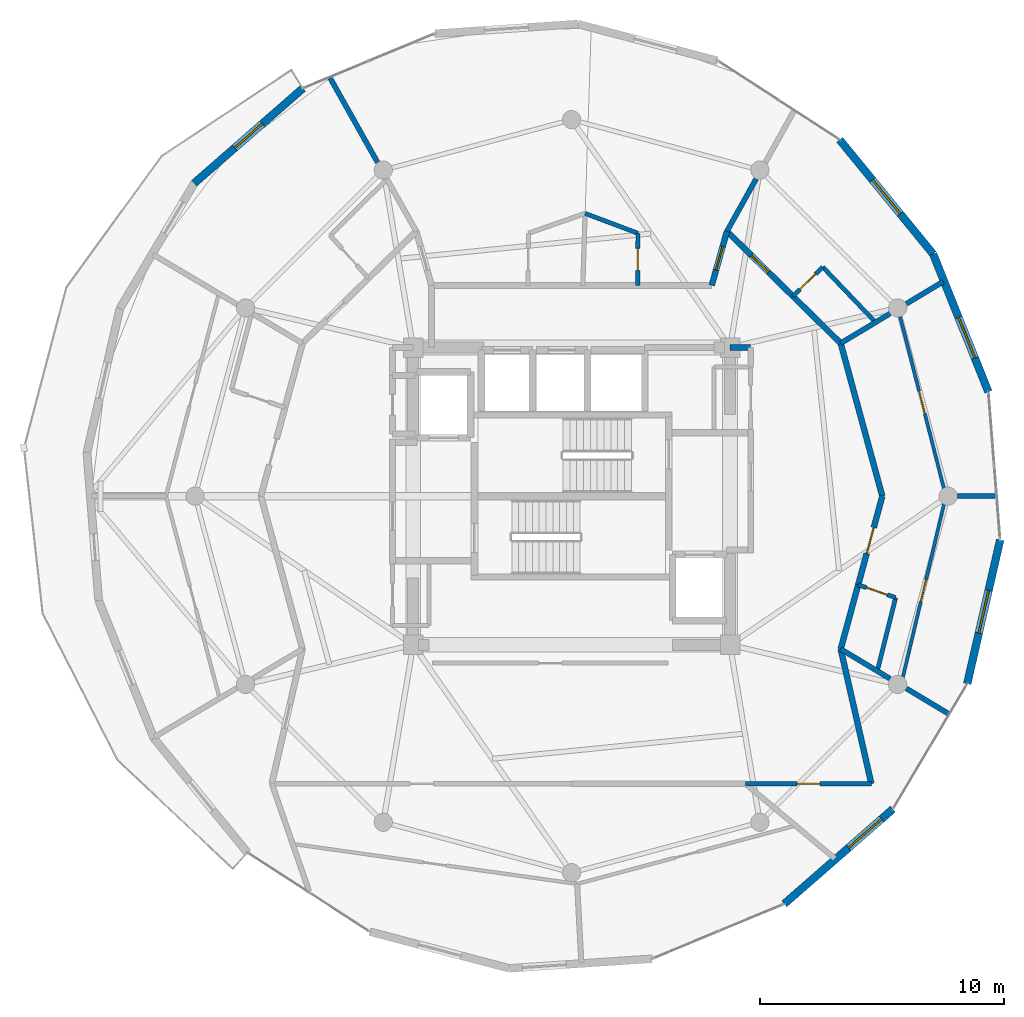
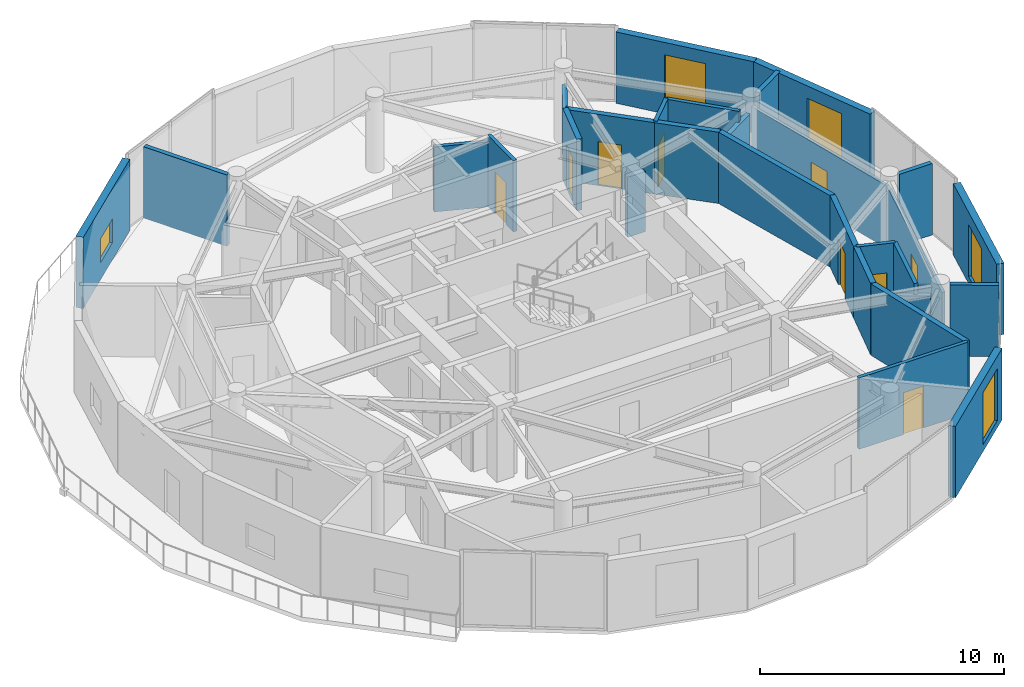
# One storey, part 14 of 17: 29 walls, 9 doors, 5 windows, 14 openings.
"""IFC4 building model written with IfcOpenShell, lengths in metres."""

from ifc_helpers import new_model, si_unit, direction, frame, frame_2d, origin, place, context, subcontext, project, spatial, rectangle, extrude, material, layer, layer_set, type_object, element, fill, save


model = new_model("IFC4")

# Units and contexts
model_context = context("Model", 3, precision=1e-05, world=origin(), true_north=direction((0.0, 1.0)))
body_context = subcontext(model_context, "Body", "Model", "MODEL_VIEW")
ifc_project = project(units=[si_unit("LENGTHUNIT", "METRE"), si_unit("AREAUNIT", "SQUARE_METRE"), si_unit("VOLUMEUNIT", "CUBIC_METRE"), si_unit("PLANEANGLEUNIT", "RADIAN"), si_unit("MASSUNIT", "GRAM", prefix="KILO")], contexts=[model_context])

# Site, building, storey
site_placement = place(None, origin())
site = spatial("IfcSite", under=ifc_project, at=site_placement, CompositionType="ELEMENT")
building_placement = place(site_placement, origin())
building = spatial("IfcBuilding", under=site, at=building_placement, Name="Solvirekh Grand Hotel", CompositionType="ELEMENT")
storey_placement = place(building_placement, frame((0.0, 0.0, 246.800048828125)))
storey = spatial("IfcBuildingStorey", under=building, at=storey_placement, Name="L64", CompositionType="ELEMENT", Elevation=246.800048828125)

# Wall, opening, window
ifc_material_1 = material(Name="Precast concrete C45/55", Category="concrete")
ifc_layer_1 = layer(ifc_material_1, 0.320068359375)
ifc_layer_set_1 = layer_set([ifc_layer_1], Name="Precast concrete C45/55")
wall_type_1 = type_object("IfcWallType", Name="ExtLobbyWall_RC320", PredefinedType="SOLIDWALL", material=ifc_layer_set_1)
wall_1_placement = place(storey_placement, frame((13.181884765625, -12.842041015625, 0.0), z_axis=(0.0, 0.0, 1.0), x_axis=(-0.753243589512, -0.657741662706, 0.0)))
wall_1 = element("IfcWall", 1, at=wall_1_placement, inside=storey, type_object=wall_type_1, Name="L64 exterior structural wall chord 2", PredefinedType="SOLIDWALL", context=body_context, shape_type="SweptSolid", body=[
    extrude(rectangle(XDim=5.91552734375, YDim=0.320068359375, at=frame_2d((2.957763671875, 0.0))), origin(), (0.0, 0.0, 1.0), 3.570068359375),
])
opening_1_placement = place(wall_1_placement, frame((0.612060546875, 0.0, 0.35009765625)))
opening_1 = element("IfcOpeningElement", 2, at=opening_1_placement, cuts=wall_1, Name="Opening W02", PredefinedType="OPENING", context=body_context, shape_type="SweptSolid", body=[
    extrude(rectangle(XDim=1.800048828125, YDim=2.60009765625, at=frame_2d((0.89990234375, 1.300048828125))), frame((0.0, 0.169921875, 0.0), z_axis=(0.0, -1.0, 0.0), x_axis=(1.0, 0.0, 0.0)), (0.0, 0.0, 1.0), 0.340087890625),
])
ifc_material_2 = material(Name="Low-E Tinted Bronze Laminated Glass", Category="aluminium")
window_type_1 = type_object("IfcWindowType", Name="Win_LobbyExt_1800X2600", PartitioningType="SINGLE_PANEL", PredefinedType="WINDOW", material=ifc_material_2)
window_1_placement = place(opening_1_placement, origin())
window_1 = element("IfcWindow", 3, at=window_1_placement, inside=storey, type_object=window_type_1, Name="L64 panoramic bronze-framed window 2", OverallHeight=2.60009765625, OverallWidth=1.800048828125, PartitioningType="SINGLE_PANEL", PredefinedType="WINDOW", context=body_context, shape_type="SweptSolid", body=[
    extrude(rectangle(XDim=1.800048828125, YDim=2.60009765625, at=frame_2d((0.89990234375, 1.300048828125))), frame((0.0, 0.030029296875, 0.0), z_axis=(0.0, -1.0, 0.0), x_axis=(1.0, 0.0, 0.0)), (0.0, 0.0, 1.0), 0.06005859375),
])
fill(opening_1, window_1)

wall_2_placement = place(storey_placement, frame((17.5869140625, -1.794921875, 0.0), z_axis=(0.0, 0.0, 1.0), x_axis=(-0.223174159959, -0.974778587335, 0.0)))
wall_2 = element("IfcWall", 4, at=wall_2_placement, inside=storey, type_object=wall_type_1, Name="L64 exterior structural wall chord 4", PredefinedType="SOLIDWALL", context=body_context, shape_type="SweptSolid", body=[
    extrude(rectangle(XDim=6.052734375, YDim=0.320068359375, at=frame_2d((3.0263671875, 0.0))), origin(), (0.0, 0.0, 1.0), 3.570068359375),
])
opening_2_placement = place(wall_2_placement, frame((2.1259765625, 0.0, 0.35009765625)))
opening_2 = element("IfcOpeningElement", 5, at=opening_2_placement, cuts=wall_2, Name="Opening W02", PredefinedType="OPENING", context=body_context, shape_type="SweptSolid", body=[
    extrude(rectangle(XDim=1.800048828125, YDim=2.60009765625, at=frame_2d((0.89990234375, 1.300048828125))), frame((0.0, 0.169921875, 0.0), z_axis=(0.0, -1.0, 0.0), x_axis=(1.0, 0.0, 0.0)), (0.0, 0.0, 1.0), 0.340087890625),
])
window_2_placement = place(opening_2_placement, origin())
window_2 = element("IfcWindow", 6, at=window_2_placement, inside=storey, type_object=window_type_1, Name="L64 panoramic bronze-framed window 4", OverallHeight=2.60009765625, OverallWidth=1.800048828125, PartitioningType="SINGLE_PANEL", PredefinedType="WINDOW", context=body_context, shape_type="SweptSolid", body=[
    extrude(rectangle(XDim=1.800048828125, YDim=2.60009765625, at=frame_2d((0.89990234375, 1.300048828125))), frame((0.0, 0.030029296875, 0.0), z_axis=(0.0, -1.0, 0.0), x_axis=(1.0, 0.0, 0.0)), (0.0, 0.0, 1.0), 0.06005859375),
])
fill(opening_2, window_2)

wall_3_placement = place(storey_placement, frame((14.8349609375, 9.93896484375, 0.0), z_axis=(0.0, 0.0, 1.0), x_axis=(0.372412492589, -0.928067311871, 0.0)))
wall_3 = element("IfcWall", 7, at=wall_3_placement, inside=storey, type_object=wall_type_1, Name="L64 exterior structural wall chord 6", PredefinedType="SOLIDWALL", context=body_context, shape_type="SweptSolid", body=[
    extrude(rectangle(XDim=6.095458984375, YDim=0.320068359375, at=frame_2d((3.0478515625, 0.0))), origin(), (0.0, 0.0, 1.0), 3.570068359375),
])
opening_3_placement = place(wall_3_placement, frame((2.802001953125, 0.0, 0.35009765625)))
opening_3 = element("IfcOpeningElement", 8, at=opening_3_placement, cuts=wall_3, Name="Opening W02", PredefinedType="OPENING", context=body_context, shape_type="SweptSolid", body=[
    extrude(rectangle(XDim=1.800048828125, YDim=2.60009765625, at=frame_2d((0.89990234375, 1.300048828125))), frame((0.0, 0.169921875, 0.0), z_axis=(0.0, -1.0, 0.0), x_axis=(1.0, 0.0, 0.0)), (0.0, 0.0, 1.0), 0.340087890625),
])
window_3_placement = place(opening_3_placement, origin())
window_3 = element("IfcWindow", 9, at=window_3_placement, inside=storey, type_object=window_type_1, Name="L64 panoramic bronze-framed window 6", OverallHeight=2.60009765625, OverallWidth=1.800048828125, PartitioningType="SINGLE_PANEL", PredefinedType="WINDOW", context=body_context, shape_type="SweptSolid", body=[
    extrude(rectangle(XDim=1.800048828125, YDim=2.60009765625, at=frame_2d((0.89990234375, 1.300048828125))), frame((0.0, 0.030029296875, 0.0), z_axis=(0.0, -1.0, 0.0), x_axis=(1.0, 0.0, 0.0)), (0.0, 0.0, 1.0), 0.06005859375),
])
fill(opening_3, window_3)

wall_4_placement = place(storey_placement, frame((11.0009765625, 14.623046875, 0.0), z_axis=(0.0, 0.0, 1.0), x_axis=(0.633391522875, -0.773831492478, 0.0)))
wall_4 = element("IfcWall", 10, at=wall_4_placement, inside=storey, type_object=wall_type_1, Name="L64 exterior structural wall chord 7", PredefinedType="SOLIDWALL", context=body_context, shape_type="SweptSolid", body=[
    extrude(rectangle(XDim=6.05322265625, YDim=0.320068359375, at=frame_2d((3.026611328125, 0.0))), origin(), (0.0, 0.0, 1.0), 3.570068359375),
])
opening_4_placement = place(wall_4_placement, frame((2.126953125, 0.0, 0.35009765625)))
opening_4 = element("IfcOpeningElement", 11, at=opening_4_placement, cuts=wall_4, Name="Opening W02", PredefinedType="OPENING", context=body_context, shape_type="SweptSolid", body=[
    extrude(rectangle(XDim=1.800048828125, YDim=2.60009765625, at=frame_2d((0.89990234375, 1.300048828125))), frame((0.0, 0.169921875, 0.0), z_axis=(0.0, -1.0, 0.0), x_axis=(1.0, 0.0, 0.0)), (0.0, 0.0, 1.0), 0.340087890625),
])
window_4_placement = place(opening_4_placement, origin())
window_4 = element("IfcWindow", 12, at=window_4_placement, inside=storey, type_object=window_type_1, Name="L64 panoramic bronze-framed window 7", OverallHeight=2.60009765625, OverallWidth=1.800048828125, PartitioningType="SINGLE_PANEL", PredefinedType="WINDOW", context=body_context, shape_type="SweptSolid", body=[
    extrude(rectangle(XDim=1.800048828125, YDim=2.60009765625, at=frame_2d((0.89990234375, 1.300048828125))), frame((0.0, 0.030029296875, 0.0), z_axis=(0.0, -1.0, 0.0), x_axis=(1.0, 0.0, 0.0)), (0.0, 0.0, 1.0), 0.06005859375),
])
fill(opening_4, window_4)

wall_5_placement = place(storey_placement, frame((-15.48193359375, 12.842041015625, 0.0), z_axis=(0.0, 0.0, 1.0), x_axis=(0.753261443664, 0.65772121563, 0.0)))
wall_5 = element("IfcWall", 13, at=wall_5_placement, inside=storey, type_object=wall_type_1, Name="L64 cantilevered deck support wall chord 12", PredefinedType="SOLIDWALL", context=body_context, shape_type="SweptSolid", body=[
    extrude(rectangle(XDim=5.915771484375, YDim=0.320068359375, at=frame_2d((2.9580078125, 0.0))), origin(), (0.0, 0.0, 1.0), 3.570068359375),
])
opening_5_placement = place(wall_5_placement, frame((2.2080078125, 0.0, 0.85009765625)))
opening_5 = element("IfcOpeningElement", 14, at=opening_5_placement, cuts=wall_5, Name="Opening W05", PredefinedType="OPENING", context=body_context, shape_type="SweptSolid", body=[
    extrude(rectangle(XDim=1.5, YDim=1.199951171875, at=frame_2d((0.75, 0.60009765625))), frame((0.0, 0.169921875, 0.0), z_axis=(0.0, -1.0, 0.0), x_axis=(1.0, 0.0, 0.0)), (0.0, 0.0, 1.0), 0.340087890625),
])
window_type_2 = type_object("IfcWindowType", Name="Win_PlantVent_1500X1200", PartitioningType="SINGLE_PANEL", PredefinedType="WINDOW", material=ifc_material_2)
window_5_placement = place(opening_5_placement, origin())
window_5 = element("IfcWindow", 15, at=window_5_placement, inside=storey, type_object=window_type_2, Name="L64 bronze-framed vision ribbon window 12", OverallHeight=1.199951171875, OverallWidth=1.5, PartitioningType="SINGLE_PANEL", PredefinedType="WINDOW", context=body_context, shape_type="SweptSolid", body=[
    extrude(rectangle(XDim=1.5, YDim=1.199951171875, at=frame_2d((0.75, 0.60009765625))), frame((0.0, 0.030029296875, 0.0), z_axis=(0.0, -1.0, 0.0), x_axis=(1.0, 0.0, 0.0)), (0.0, 0.0, 1.0), 0.06005859375),
])
fill(opening_5, window_5)

# Wall, opening, door
ifc_material_3 = material(Name="Acoustic Gypsum Partition Assembly")
ifc_layer_2 = layer(ifc_material_3, 0.1650390625)
ifc_layer_set_2 = layer_set([ifc_layer_2], Name="Acoustic Gypsum Partition Assembly")
wall_type_2 = type_object("IfcWallType", Name="Part_BOH_165", PredefinedType="PARTITIONING", material=ifc_layer_set_2)
wall_6_placement = place(storey_placement, frame((7.134033203125, -11.800048828125, 0.0), z_axis=(0.0, 0.0, 1.0), x_axis=(1.0, 0.0, 0.0)))
wall_6 = element("IfcWall", 16, at=wall_6_placement, inside=storey, type_object=wall_type_2, Name="L64 L64 Butler Valet & Linen Steward Room entrance wall", PredefinedType="PARTITIONING", context=body_context, shape_type="SweptSolid", body=[
    extrude(rectangle(XDim=5.166015625, YDim=0.1650390625, at=frame_2d((2.5830078125, 0.0))), origin(), (0.0, 0.0, 1.0), 3.570068359375),
])
opening_6_placement = place(wall_6_placement, frame((2.10791015625, 0.0, 0.0)))
opening_6 = element("IfcOpeningElement", 17, at=opening_6_placement, cuts=wall_6, Name="Opening D10", PredefinedType="OPENING", context=body_context, shape_type="SweptSolid", body=[
    extrude(rectangle(XDim=0.949951171875, YDim=2.10009765625, at=frame_2d((0.47509765625, 1.050048828125))), frame((0.0, 0.092529296875, 0.0), z_axis=(0.0, -1.0, 0.0), x_axis=(1.0, 0.0, 0.0)), (0.0, 0.0, 1.0), 0.18505859375),
])
ifc_material_4 = material(Name="Anodized Bronze Aluminium 6063-T6", Category="aluminium")
door_type_1 = type_object("IfcDoorType", Name="Door_RoomInt_950X2100", OperationType="NOTDEFINED", PredefinedType="DOOR", material=ifc_material_4)
door_1_placement = place(opening_6_placement, origin())
door_1 = element("IfcDoor", 18, at=door_1_placement, inside=storey, type_object=door_type_1, Name="L64 L64 Butler Valet & Linen Steward Room entrance door", OperationType="SINGLE_SWING_RIGHT", OverallHeight=2.10009765625, OverallWidth=0.949951171875, PredefinedType="DOOR", context=body_context, shape_type="SweptSolid", body=[
    extrude(rectangle(XDim=0.949951171875, YDim=2.10009765625, at=frame_2d((0.47509765625, 1.050048828125))), frame((0.0, 0.02490234375, 0.0), z_axis=(0.0, -1.0, 0.0), x_axis=(1.0, 0.0, 0.0)), (0.0, 0.0, 1.0), 0.050048828125),
])
fill(opening_6, door_1)

# Wall
ifc_layer_3 = layer(ifc_material_3, 0.239990234375)
ifc_layer_set_3 = layer_set([ifc_layer_3], Name="Acoustic Gypsum Partition Assembly")
wall_type_3 = type_object("IfcWallType", Name="Part_Corridor_240", PredefinedType="PARTITIONING", material=ifc_layer_set_3)
wall_7_placement = place(storey_placement, frame((6.5, 6.10009765625, 0.0), z_axis=(0.0, 0.0, 1.0), x_axis=(1.0, 0.0, 0.0)))
element("IfcWall", 19, at=wall_7_placement, inside=storey, type_object=wall_type_3, Name="L64 NE core corner tie wall", PredefinedType="PARTITIONING", context=body_context, shape_type="SweptSolid", body=[
    extrude(rectangle(XDim=0.85009765625, YDim=0.239990234375, at=frame_2d((0.425048828125, 0.0))), origin(), (0.0, 0.0, 1.0), 3.010986328125),
])

# Wall, opening, door
wall_8_placement = place(storey_placement, frame((5.75, 8.64990234375, 0.0), z_axis=(0.0, 0.0, 1.0), x_axis=(0.271110513922, 0.962548226969, 0.0)))
wall_8 = element("IfcWall", 20, at=wall_8_placement, inside=storey, type_object=wall_type_3, Name="L64 Deluxe Guestroom 6601 entrance wall", PredefinedType="PARTITIONING", context=body_context, shape_type="SweptSolid", body=[
    extrude(rectangle(XDim=2.305419921875, YDim=0.239990234375, at=frame_2d((1.15283203125, 0.0))), origin(), (0.0, 0.0, 1.0), 3.570068359375),
])
opening_7_placement = place(wall_8_placement, frame((0.653076171875, 0.0, 0.0)))
opening_7 = element("IfcOpeningElement", 21, at=opening_7_placement, cuts=wall_8, Name="Opening D07", PredefinedType="OPENING", context=body_context, shape_type="SweptSolid", body=[
    extrude(rectangle(XDim=1.0, YDim=2.199951171875, at=frame_2d((0.5, 1.10009765625))), frame((0.0, 0.1298828125, 0.0), z_axis=(0.0, -1.0, 0.0), x_axis=(1.0, 0.0, 0.0)), (0.0, 0.0, 1.0), 0.260009765625),
])
ifc_material_5 = material(Name="Fire-Rated Steel Door Assembly", Category="steel")
door_type_2 = type_object("IfcDoorType", Name="Door_GuestEntry_1000X2200", OperationType="NOTDEFINED", PredefinedType="DOOR", material=ifc_material_5)
door_2_placement = place(opening_7_placement, origin())
door_2 = element("IfcDoor", 22, at=door_2_placement, inside=storey, type_object=door_type_2, Name="L64 Deluxe Guestroom 6601 entrance door", OperationType="SINGLE_SWING_LEFT", OverallHeight=2.199951171875, OverallWidth=1.0, PredefinedType="DOOR", context=body_context, shape_type="SweptSolid", body=[
    extrude(rectangle(XDim=1.0, YDim=2.199951171875, at=frame_2d((0.5, 1.10009765625))), frame((0.0, 0.02490234375, 0.0), z_axis=(0.0, -1.0, 0.0), x_axis=(1.0, 0.0, 0.0)), (0.0, 0.0, 1.0), 0.050048828125),
])
fill(opening_7, door_2)

# Walls
wall_9_placement = place(storey_placement, frame((11.0419921875, -6.27490234375, 0.0), z_axis=(0.0, 0.0, 1.0), x_axis=(0.262572701387, 0.964912211803, 0.0)))
element("IfcWall", 23, at=wall_9_placement, inside=storey, type_object=wall_type_3, Name="L64 En-suite Bathroom 6605 corridor backing wall", PredefinedType="PARTITIONING", context=body_context, shape_type="SweptSolid", body=[
    extrude(rectangle(XDim=2.730712890625, YDim=0.239990234375, at=frame_2d((1.365234375, 0.0))), origin(), (0.0, 0.0, 1.0), 3.570068359375),
])
wall_10_placement = place(storey_placement, frame((12.75, 0.0, 0.0), z_axis=(0.0, 0.0, 1.0), x_axis=(-0.262640884433, 0.964893655189, 0.0)))
element("IfcWall", 24, at=wall_10_placement, inside=storey, type_object=wall_type_3, Name="L64 Executive Suite 6605 Living Room corridor wall 1", PredefinedType="PARTITIONING", context=body_context, shape_type="SweptSolid", body=[
    extrude(rectangle(XDim=6.503173828125, YDim=0.239990234375, at=frame_2d((3.25146484375, 0.0))), origin(), (0.0, 0.0, 1.0), 3.570068359375),
])

# Wall, opening, door
wall_11_placement = place(storey_placement, frame((11.759033203125, -3.639892578125, 0.0), z_axis=(0.0, 0.0, 1.0), x_axis=(0.2626902414, 0.964880219029, 0.0)))
wall_11 = element("IfcWall", 25, at=wall_11_placement, inside=storey, type_object=wall_type_3, Name="L64 Executive Suite 6605 Living Room entrance wall", PredefinedType="PARTITIONING", context=body_context, shape_type="SweptSolid", body=[
    extrude(rectangle(XDim=3.7724609375, YDim=0.239990234375, at=frame_2d((1.88623046875, 0.0))), origin(), (0.0, 0.0, 1.0), 3.570068359375),
])
opening_8_placement = place(wall_11_placement, frame((1.3359375, 0.0, 0.0)))
opening_8 = element("IfcOpeningElement", 26, at=opening_8_placement, cuts=wall_11, Name="Opening D08", PredefinedType="OPENING", context=body_context, shape_type="SweptSolid", body=[
    extrude(rectangle(XDim=1.10009765625, YDim=2.300048828125, at=frame_2d((0.550048828125, 1.14990234375))), frame((0.0, 0.1298828125, 0.0), z_axis=(0.0, -1.0, 0.0), x_axis=(1.0, 0.0, 0.0)), (0.0, 0.0, 1.0), 0.260009765625),
])
door_type_3 = type_object("IfcDoorType", Name="Door_SuiteEntry_1100X2300", OperationType="NOTDEFINED", PredefinedType="DOOR", material=ifc_material_5)
door_3_placement = place(opening_8_placement, origin())
door_3 = element("IfcDoor", 27, at=door_3_placement, inside=storey, type_object=door_type_3, Name="L64 Executive Suite 6605 Living Room entrance door", OperationType="SINGLE_SWING_LEFT", OverallHeight=2.300048828125, OverallWidth=1.10009765625, PredefinedType="DOOR", context=body_context, shape_type="SweptSolid", body=[
    extrude(rectangle(XDim=1.10009765625, YDim=2.300048828125, at=frame_2d((0.550048828125, 1.14990234375))), frame((0.0, 0.02490234375, 0.0), z_axis=(0.0, -1.0, 0.0), x_axis=(1.0, 0.0, 0.0)), (0.0, 0.0, 1.0), 0.050048828125),
])
fill(opening_8, door_3)

# Wall
wall_12_placement = place(storey_placement, frame((11.0419921875, 6.27490234375, 0.0), z_axis=(0.0, 0.0, 1.0), x_axis=(-0.712677423321, 0.701491903224, 0.0)))
element("IfcWall", 28, at=wall_12_placement, inside=storey, type_object=wall_type_3, Name="L64 En-suite Bathroom 6606 corridor backing wall", PredefinedType="PARTITIONING", context=body_context, shape_type="SweptSolid", body=[
    extrude(rectangle(XDim=2.750244140625, YDim=0.239990234375, at=frame_2d((1.375, 0.0))), origin(), (0.0, 0.0, 1.0), 3.570068359375),
])

# Wall, opening, door
wall_13_placement = place(storey_placement, frame((9.08203125, 8.2041015625, 0.0), z_axis=(0.0, 0.0, 1.0), x_axis=(-0.712644426178, 0.70152542494, 0.0)))
wall_13 = element("IfcWall", 29, at=wall_13_placement, inside=storey, type_object=wall_type_3, Name="L64 Deluxe Guestroom 6606 entrance wall", PredefinedType="PARTITIONING", context=body_context, shape_type="SweptSolid", body=[
    extrude(rectangle(XDim=3.798583984375, YDim=0.239990234375, at=frame_2d((1.8994140625, 0.0))), origin(), (0.0, 0.0, 1.0), 3.570068359375),
])
opening_9_placement = place(wall_13_placement, frame((1.39892578125, 0.0, 0.0)))
opening_9 = element("IfcOpeningElement", 30, at=opening_9_placement, cuts=wall_13, Name="Opening D07", PredefinedType="OPENING", context=body_context, shape_type="SweptSolid", body=[
    extrude(rectangle(XDim=1.0, YDim=2.199951171875, at=frame_2d((0.5, 1.10009765625))), frame((0.0, 0.1298828125, 0.0), z_axis=(0.0, -1.0, 0.0), x_axis=(1.0, 0.0, 0.0)), (0.0, 0.0, 1.0), 0.260009765625),
])
door_4_placement = place(opening_9_placement, origin())
door_4 = element("IfcDoor", 31, at=door_4_placement, inside=storey, type_object=door_type_2, Name="L64 Deluxe Guestroom 6606 entrance door", OperationType="SINGLE_SWING_LEFT", OverallHeight=2.199951171875, OverallWidth=1.0, PredefinedType="DOOR", context=body_context, shape_type="SweptSolid", body=[
    extrude(rectangle(XDim=1.0, YDim=2.199951171875, at=frame_2d((0.5, 1.10009765625))), frame((0.0, 0.02490234375, 0.0), z_axis=(0.0, -1.0, 0.0), x_axis=(1.0, 0.0, 0.0)), (0.0, 0.0, 1.0), 0.050048828125),
])
fill(opening_9, door_4)

# Wall
wall_14_placement = place(storey_placement, frame((12.300048828125, -11.800048828125, 0.0), z_axis=(0.0, 0.0, 1.0), x_axis=(-0.222014008723, 0.975043475918, 0.0)))
element("IfcWall", 32, at=wall_14_placement, inside=storey, type_object=wall_type_3, Name="L64 L64 Butler Valet & Linen Steward Room corridor wall 1", PredefinedType="PARTITIONING", context=body_context, shape_type="SweptSolid", body=[
    extrude(rectangle(XDim=5.66650390625, YDim=0.239990234375, at=frame_2d((2.833251953125, 0.0))), origin(), (0.0, 0.0, 1.0), 3.570068359375),
])

# Wall, opening, door
ifc_layer_4 = layer(ifc_material_3, 0.135009765625)
ifc_layer_set_4 = layer_set([ifc_layer_4], Name="Acoustic Gypsum Partition Assembly")
wall_type_4 = type_object("IfcWallType", Name="Part_RoomInt_135", PredefinedType="PARTITIONING", material=ifc_layer_set_4)
wall_15_placement = place(storey_placement, frame((13.51611328125, -7.759033203125, 0.0), z_axis=(0.0, 0.0, 1.0), x_axis=(0.230840940032, 0.972991500685, 0.0)))
wall_15 = element("IfcWall", 33, at=wall_15_placement, inside=storey, type_object=wall_type_4, Name="L64 Executive Suite 6605 Living Room bedroom screen wall", PredefinedType="PARTITIONING", context=body_context, shape_type="SweptSolid", body=[
    extrude(rectangle(XDim=7.974365234375, YDim=0.135009765625, at=frame_2d((3.9873046875, 0.0))), origin(), (0.0, 0.0, 1.0), 3.138916015625),
])
opening_10_placement = place(wall_15_placement, frame((3.511962890625, 0.0, 0.0)))
opening_10 = element("IfcOpeningElement", 34, at=opening_10_placement, cuts=wall_15, Name="Opening D10", PredefinedType="OPENING", context=body_context, shape_type="SweptSolid", body=[
    extrude(rectangle(XDim=0.949951171875, YDim=2.10009765625, at=frame_2d((0.47509765625, 1.050048828125))), frame((0.0, 0.07763671875, 0.0), z_axis=(0.0, -1.0, 0.0), x_axis=(1.0, 0.0, 0.0)), (0.0, 0.0, 1.0), 0.155029296875),
])
door_5_placement = place(opening_10_placement, origin())
door_5 = element("IfcDoor", 35, at=door_5_placement, inside=storey, type_object=door_type_1, Name="L64 Executive Suite 6605 Living Room master bedroom door", OperationType="SINGLE_SWING_RIGHT", OverallHeight=2.10009765625, OverallWidth=0.949951171875, PredefinedType="DOOR", context=body_context, shape_type="SweptSolid", body=[
    extrude(rectangle(XDim=0.949951171875, YDim=2.10009765625, at=frame_2d((0.47509765625, 1.050048828125))), frame((0.0, 0.02490234375, 0.0), z_axis=(0.0, -1.0, 0.0), x_axis=(1.0, 0.0, 0.0)), (0.0, 0.0, 1.0), 0.050048828125),
])
fill(opening_10, door_5)

wall_16_placement = place(storey_placement, frame((15.35693359375, 0.0, 0.0), z_axis=(0.0, 0.0, 1.0), x_axis=(-0.246948201866, 0.969028681513, 0.0)))
wall_16 = element("IfcWall", 36, at=wall_16_placement, inside=storey, type_object=wall_type_4, Name="L64 Executive Suite 6605 Panorama Suite Study bedroom screen wall", PredefinedType="PARTITIONING", context=body_context, shape_type="SweptSolid", body=[
    extrude(rectangle(XDim=7.936767578125, YDim=0.135009765625, at=frame_2d((3.96826171875, 0.0))), origin(), (0.0, 0.0, 1.0), 3.138916015625),
])
opening_11_placement = place(wall_16_placement, frame((3.492919921875, 0.0, 0.0)))
opening_11 = element("IfcOpeningElement", 37, at=opening_11_placement, cuts=wall_16, Name="Opening D10", PredefinedType="OPENING", context=body_context, shape_type="SweptSolid", body=[
    extrude(rectangle(XDim=0.949951171875, YDim=2.10009765625, at=frame_2d((0.47509765625, 1.050048828125))), frame((0.0, 0.07763671875, 0.0), z_axis=(0.0, -1.0, 0.0), x_axis=(1.0, 0.0, 0.0)), (0.0, 0.0, 1.0), 0.155029296875),
])
door_6_placement = place(opening_11_placement, origin())
door_6 = element("IfcDoor", 38, at=door_6_placement, inside=storey, type_object=door_type_1, Name="L64 Executive Suite 6605 Panorama Suite Study master bedroom door", OperationType="SINGLE_SWING_LEFT", OverallHeight=2.10009765625, OverallWidth=0.949951171875, PredefinedType="DOOR", context=body_context, shape_type="SweptSolid", body=[
    extrude(rectangle(XDim=0.949951171875, YDim=2.10009765625, at=frame_2d((0.47509765625, 1.050048828125))), frame((0.0, 0.02490234375, 0.0), z_axis=(0.0, -1.0, 0.0), x_axis=(1.0, 0.0, 0.0)), (0.0, 0.0, 1.0), 0.050048828125),
])
fill(opening_11, door_6)

# Walls
ifc_layer_5 = layer(ifc_material_3, 0.2099609375)
ifc_layer_set_5 = layer_set([ifc_layer_5], Name="Acoustic Gypsum Partition Assembly")
wall_type_5 = type_object("IfcWallType", Name="Part_SuiteDemise_210", PredefinedType="PARTITIONING", material=ifc_layer_set_5)
wall_17_placement = place(storey_placement, frame((11.0419921875, 6.27490234375, 0.0), z_axis=(0.0, 0.0, 1.0), x_axis=(0.857026686246, 0.515272024335, 0.0)))
element("IfcWall", 39, at=wall_17_placement, inside=storey, type_object=wall_type_5, Name="L64 suite radial wall 2 (A)", PredefinedType="PARTITIONING", context=body_context, shape_type="SweptSolid", body=[
    extrude(rectangle(XDim=2.358154296875, YDim=0.2099609375, at=frame_2d((1.17919921875, 0.0))), origin(), (0.0, 0.0, 1.0), 3.010986328125),
])
wall_18_placement = place(storey_placement, frame((13.737060546875, 7.89501953125, 0.0), z_axis=(0.0, 0.0, 1.0), x_axis=(0.857150569961, 0.515065918514, 0.0)))
element("IfcWall", 40, at=wall_18_placement, inside=storey, type_object=wall_type_5, Name="L64 suite radial wall 2 (B)", PredefinedType="PARTITIONING", context=body_context, shape_type="SweptSolid", body=[
    extrude(rectangle(XDim=1.7626953125, YDim=0.2099609375, at=frame_2d((0.88134765625, 0.0))), origin(), (0.0, 0.0, 1.0), 3.570068359375),
])
wall_19_placement = place(storey_placement, frame((6.375, 10.868896484375, 0.0), z_axis=(0.0, 0.0, 1.0), x_axis=(0.486620940413, 0.873613221255, 0.0)))
element("IfcWall", 41, at=wall_19_placement, inside=storey, type_object=wall_type_5, Name="L64 suite radial wall 3 (A)", PredefinedType="PARTITIONING", context=body_context, shape_type="SweptSolid", body=[
    extrude(rectangle(XDim=2.457763671875, YDim=0.2099609375, at=frame_2d((1.22900390625, 0.0))), origin(), (0.0, 0.0, 1.0), 3.010986328125),
])
wall_20_placement = place(storey_placement, frame((-7.9619140625, 13.696044921875, 0.0), z_axis=(0.0, 0.0, 1.0), x_axis=(-0.489665242016, 0.871910517634, 0.0)))
element("IfcWall", 42, at=wall_20_placement, inside=storey, type_object=wall_type_5, Name="L64 suite radial wall 5 (B)", PredefinedType="PARTITIONING", context=body_context, shape_type="SweptSolid", body=[
    extrude(rectangle(XDim=3.96826171875, YDim=0.2099609375, at=frame_2d((1.984130859375, 0.0))), origin(), (0.0, 0.0, 1.0), 3.570068359375),
])
wall_21_placement = place(storey_placement, frame((11.0419921875, -6.27490234375, 0.0), z_axis=(0.0, 0.0, 1.0), x_axis=(0.857502061287, -0.514480529164, 0.0)))
element("IfcWall", 43, at=wall_21_placement, inside=storey, type_object=wall_type_5, Name="L64 suite radial wall 12 (A)", PredefinedType="PARTITIONING", context=body_context, shape_type="SweptSolid", body=[
    extrude(rectangle(XDim=2.35791015625, YDim=0.2099609375, at=frame_2d((1.178955078125, 0.0))), origin(), (0.0, 0.0, 1.0), 3.010986328125),
])
wall_22_placement = place(storey_placement, frame((13.738037109375, -7.89208984375, 0.0), z_axis=(0.0, 0.0, 1.0), x_axis=(0.857407053578, -0.514638848587, 0.0)))
element("IfcWall", 44, at=wall_22_placement, inside=storey, type_object=wall_type_5, Name="L64 suite radial wall 12 (B)", PredefinedType="PARTITIONING", context=body_context, shape_type="SweptSolid", body=[
    extrude(rectangle(XDim=2.007080078125, YDim=0.2099609375, at=frame_2d((1.00341796875, 0.0))), origin(), (0.0, 0.0, 1.0), 3.570068359375),
])
wall_23_placement = place(storey_placement, frame((15.844970703125, 0.0, 0.0), z_axis=(0.0, 0.0, 1.0), x_axis=(1.0, 0.0, 0.0)))
element("IfcWall", 45, at=wall_23_placement, inside=storey, type_object=wall_type_5, Name="L64 Executive Suite 6605 Living Room dividing partition 1 (A)", PredefinedType="PARTITIONING", context=body_context, shape_type="SweptSolid", body=[
    extrude(rectangle(XDim=1.56005859375, YDim=0.2099609375, at=frame_2d((0.780029296875, 0.0))), origin(), (0.0, 0.0, 1.0), 3.570068359375),
])
ifc_layer_6 = layer(ifc_material_3, 0.175048828125)
ifc_layer_set_6 = layer_set([ifc_layer_6], Name="Acoustic Gypsum Partition Assembly")
wall_type_6 = type_object("IfcWallType", Name="Plumb_Ensuite_175", PredefinedType="PLUMBINGWALL", material=ifc_layer_set_6)
wall_24_placement = place(storey_placement, frame((0.555908203125, 11.60205078125, 0.0), z_axis=(0.0, 0.0, 1.0), x_axis=(0.935773181831, -0.35260254135, 0.0)))
element("IfcWall", 46, at=wall_24_placement, inside=storey, type_object=wall_type_6, Name="L64 En-suite Bathroom 6601 outer plumbing wall", PredefinedType="PLUMBINGWALL", context=body_context, shape_type="SweptSolid", body=[
    extrude(rectangle(XDim=2.314697265625, YDim=0.175048828125, at=frame_2d((1.1572265625, 0.0))), origin(), (0.0, 0.0, 1.0), 3.251953125),
])

# Wall, opening, door
wall_25_placement = place(storey_placement, frame((2.7099609375, 8.64990234375, 0.0), z_axis=(0.0, 0.0, 1.0), x_axis=(0.005600552237, 0.999984316784, 0.0)))
wall_25 = element("IfcWall", 47, at=wall_25_placement, inside=storey, type_object=wall_type_6, Name="L64 En-suite Bathroom 6601 entry plumbing wall", PredefinedType="PLUMBINGWALL", context=body_context, shape_type="SweptSolid", body=[
    extrude(rectangle(XDim=2.135986328125, YDim=0.175048828125, at=frame_2d((1.06787109375, 0.0))), origin(), (0.0, 0.0, 1.0), 3.570068359375),
])
opening_12_placement = place(wall_25_placement, frame((0.617919921875, 0.0, 0.0)))
opening_12 = element("IfcOpeningElement", 48, at=opening_12_placement, cuts=wall_25, Name="Opening D09", PredefinedType="OPENING", context=body_context, shape_type="SweptSolid", body=[
    extrude(rectangle(XDim=0.89990234375, YDim=2.10009765625, at=frame_2d((0.449951171875, 1.050048828125))), frame((0.0, 0.09765625, 0.0), z_axis=(0.0, -1.0, 0.0), x_axis=(1.0, 0.0, 0.0)), (0.0, 0.0, 1.0), 0.195068359375),
])
door_type_4 = type_object("IfcDoorType", Name="Door_Ensuite_900X2100", OperationType="NOTDEFINED", PredefinedType="DOOR", material=ifc_material_4)
door_7_placement = place(opening_12_placement, origin())
door_7 = element("IfcDoor", 49, at=door_7_placement, inside=storey, type_object=door_type_4, Name="L64 En-suite Bathroom 6601 door", OperationType="SINGLE_SWING_RIGHT", OverallHeight=2.10009765625, OverallWidth=0.89990234375, PredefinedType="DOOR", context=body_context, shape_type="SweptSolid", body=[
    extrude(rectangle(XDim=0.89990234375, YDim=2.10009765625, at=frame_2d((0.449951171875, 1.050048828125))), frame((0.0, 0.02490234375, 0.0), z_axis=(0.0, -1.0, 0.0), x_axis=(1.0, 0.0, 0.0)), (0.0, 0.0, 1.0), 0.050048828125),
])
fill(opening_12, door_7)

# Wall
wall_26_placement = place(storey_placement, frame((12.5439453125, -7.176025390625, 0.0), z_axis=(0.0, 0.0, 1.0), x_axis=(0.241851063072, 0.970313384062, 0.0)))
element("IfcWall", 50, at=wall_26_placement, inside=storey, type_object=wall_type_6, Name="L64 En-suite Bathroom 6605 outer plumbing wall", PredefinedType="PLUMBINGWALL", context=body_context, shape_type="SweptSolid", body=[
    extrude(rectangle(XDim=3.105224609375, YDim=0.175048828125, at=frame_2d((1.552734375, 0.0))), origin(), (0.0, 0.0, 1.0), 3.570068359375),
])

# Wall, opening, door
wall_27_placement = place(storey_placement, frame((11.759033203125, -3.639892578125, 0.0), z_axis=(0.0, 0.0, 1.0), x_axis=(0.946586404748, -0.322450272671, 0.0)))
wall_27 = element("IfcWall", 51, at=wall_27_placement, inside=storey, type_object=wall_type_6, Name="L64 En-suite Bathroom 6605 entry plumbing wall", PredefinedType="PLUMBINGWALL", context=body_context, shape_type="SweptSolid", body=[
    extrude(rectangle(XDim=1.62255859375, YDim=0.175048828125, at=frame_2d((0.811279296875, 0.0))), origin(), (0.0, 0.0, 1.0), 3.570068359375),
])
opening_13_placement = place(wall_27_placement, frame((0.361083984375, 0.0, 0.0)))
opening_13 = element("IfcOpeningElement", 52, at=opening_13_placement, cuts=wall_27, Name="Opening D09", PredefinedType="OPENING", context=body_context, shape_type="SweptSolid", body=[
    extrude(rectangle(XDim=0.89990234375, YDim=2.10009765625, at=frame_2d((0.449951171875, 1.050048828125))), frame((0.0, 0.09765625, 0.0), z_axis=(0.0, -1.0, 0.0), x_axis=(1.0, 0.0, 0.0)), (0.0, 0.0, 1.0), 0.195068359375),
])
door_8_placement = place(opening_13_placement, origin())
door_8 = element("IfcDoor", 53, at=door_8_placement, inside=storey, type_object=door_type_4, Name="L64 En-suite Bathroom 6605 door", OperationType="SINGLE_SWING_RIGHT", OverallHeight=2.10009765625, OverallWidth=0.89990234375, PredefinedType="DOOR", context=body_context, shape_type="SweptSolid", body=[
    extrude(rectangle(XDim=0.89990234375, YDim=2.10009765625, at=frame_2d((0.449951171875, 1.050048828125))), frame((0.0, 0.02490234375, 0.0), z_axis=(0.0, -1.0, 0.0), x_axis=(1.0, 0.0, 0.0)), (0.0, 0.0, 1.0), 0.050048828125),
])
fill(opening_13, door_8)

# Wall
wall_28_placement = place(storey_placement, frame((12.471923828125, 7.135009765625, 0.0), z_axis=(0.0, 0.0, 1.0), x_axis=(-0.690671718567, 0.723168429324, 0.0)))
element("IfcWall", 54, at=wall_28_placement, inside=storey, type_object=wall_type_6, Name="L64 En-suite Bathroom 6606 outer plumbing wall", PredefinedType="PLUMBINGWALL", context=body_context, shape_type="SweptSolid", body=[
    extrude(rectangle(XDim=3.140380859375, YDim=0.175048828125, at=frame_2d((1.5703125, 0.0))), origin(), (0.0, 0.0, 1.0), 3.570068359375),
])

# Wall, opening, door
wall_29_placement = place(storey_placement, frame((9.08203125, 8.2041015625, 0.0), z_axis=(0.0, 0.0, 1.0), x_axis=(0.712642440828, 0.701527441751, 0.0)))
wall_29 = element("IfcWall", 55, at=wall_29_placement, inside=storey, type_object=wall_type_6, Name="L64 En-suite Bathroom 6606 entry plumbing wall", PredefinedType="PLUMBINGWALL", context=body_context, shape_type="SweptSolid", body=[
    extrude(rectangle(XDim=1.71337890625, YDim=0.175048828125, at=frame_2d((0.856689453125, 0.0))), origin(), (0.0, 0.0, 1.0), 3.570068359375),
])
opening_14_placement = place(wall_29_placement, frame((0.406982421875, 0.0, 0.0)))
opening_14 = element("IfcOpeningElement", 56, at=opening_14_placement, cuts=wall_29, Name="Opening D09", PredefinedType="OPENING", context=body_context, shape_type="SweptSolid", body=[
    extrude(rectangle(XDim=0.89990234375, YDim=2.10009765625, at=frame_2d((0.449951171875, 1.050048828125))), frame((0.0, 0.09765625, 0.0), z_axis=(0.0, -1.0, 0.0), x_axis=(1.0, 0.0, 0.0)), (0.0, 0.0, 1.0), 0.195068359375),
])
door_9_placement = place(opening_14_placement, origin())
door_9 = element("IfcDoor", 57, at=door_9_placement, inside=storey, type_object=door_type_4, Name="L64 En-suite Bathroom 6606 door", OperationType="SINGLE_SWING_RIGHT", OverallHeight=2.10009765625, OverallWidth=0.89990234375, PredefinedType="DOOR", context=body_context, shape_type="SweptSolid", body=[
    extrude(rectangle(XDim=0.89990234375, YDim=2.10009765625, at=frame_2d((0.449951171875, 1.050048828125))), frame((0.0, 0.02490234375, 0.0), z_axis=(0.0, -1.0, 0.0), x_axis=(1.0, 0.0, 0.0)), (0.0, 0.0, 1.0), 0.050048828125),
])
fill(opening_14, door_9)

save(model, "model.ifc")
